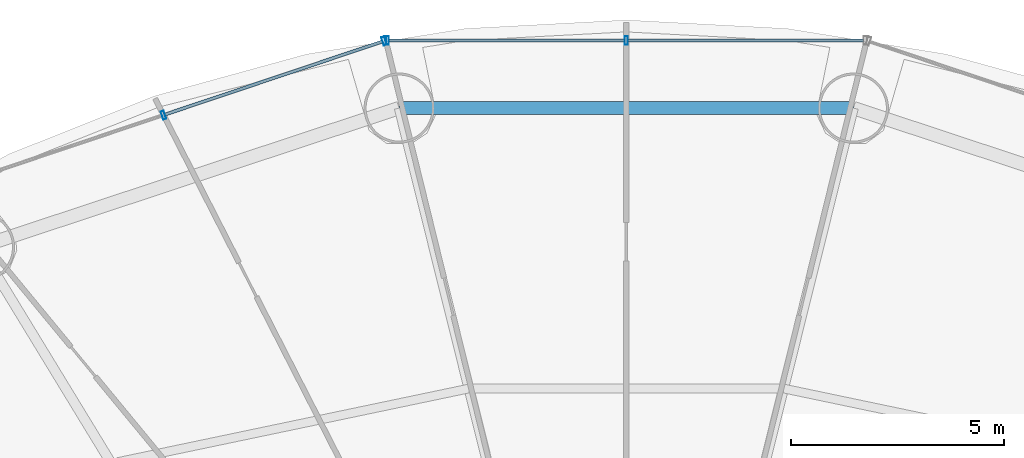
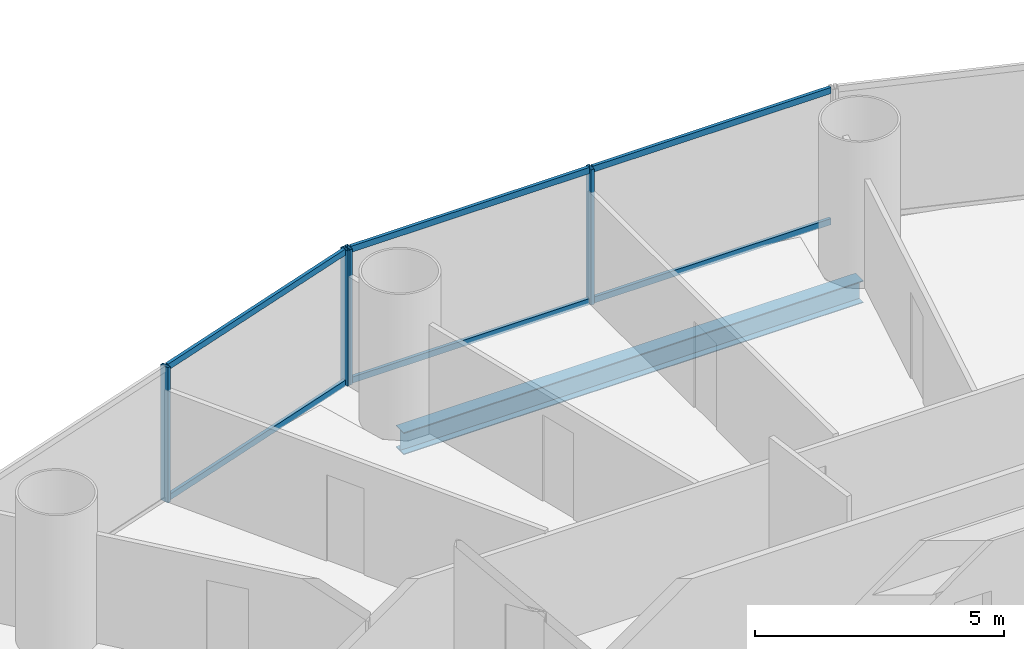
# One storey, part 18 of 30: 10 members, 1 beam, 2 elements without a shape of their own.
"""IFC4 building model written with IfcOpenShell, lengths in metres."""

import ifcopenshell
import ifcopenshell.guid

model = None  # the IFC model being written
_history = None  # IfcOwnerHistory: only IFC2X3 demands one
_inside = {}  # id of a spatial element -> (the spatial element, [elements in it])
_under = {}  # id of a project, library or spatial element -> (it, [spatial elements below it])
_declared = {}  # id of a project -> (the project, [libraries it declares])
_typed = {}  # id of a type object -> (the type object, [elements of that type])
_made_of = {}  # id of a material, layer set ... -> (it, [elements and type objects made of it])


def new_model(schema):
    """Start an empty IFC model of exactly this schema.

    Asked for "IFC4X3", IfcOpenShell would pick the latest addendum, in which some entities
    have other attributes; the version numbers below select the first issue.
    IFC2X3 requires an IfcOwnerHistory on every rooted entity: one is made here for all.
    """
    global model, _history
    if schema == "IFC4X3":
        model = ifcopenshell.file(schema_version=(4, 3, 0, 0))
    else:
        model = ifcopenshell.file(schema=schema)
    _inside.clear()
    _under.clear()
    _declared.clear()
    _typed.clear()
    _made_of.clear()
    _history = None
    if model.schema == "IFC2X3":
        org = make("IfcOrganization", Name="unknown")
        user = make(
            "IfcPersonAndOrganization",
            ThePerson=make("IfcPerson", FamilyName="unknown"),
            TheOrganization=org,
        )
        app = make(
            "IfcApplication",
            ApplicationDeveloper=org,
            Version="unknown",
            ApplicationFullName="unknown",
            ApplicationIdentifier="unknown",
        )
        _history = make(
            "IfcOwnerHistory",
            OwningUser=user,
            OwningApplication=app,
            ChangeAction="ADDED",
            CreationDate=0,
        )
    return model


def make(cls, **values):
    """One entity of the class cls with the attributes given. An attribute that is None is left unset."""
    return model.create_entity(
        cls, **{name: value for name, value in values.items() if value is not None}
    )


def rooted(cls, **values):
    """An entity with a GlobalId (a new one), such as an element, a storey or a relation."""
    return make(cls, GlobalId=ifcopenshell.guid.new(), OwnerHistory=_history, **values)


def si_unit(unit_type, name, prefix=None):
    """IfcSIUnit, for example si_unit("LENGTHUNIT", "METRE", prefix="MILLI")."""
    return make("IfcSIUnit", UnitType=unit_type, Prefix=prefix, Name=name)


def assignment(units):
    """IfcUnitAssignment: the units of a project."""
    return None if units is None else make("IfcUnitAssignment", Units=units)


def point(xyz):
    """IfcCartesianPoint."""
    return None if xyz is None else make("IfcCartesianPoint", Coordinates=xyz)


def direction(xyz):
    """IfcDirection."""
    return None if xyz is None else make("IfcDirection", DirectionRatios=xyz)


def frame(location, z_axis=None, x_axis=None):
    """IfcAxis2Placement3D, a coordinate frame: its origin and axes. An axis left out is left unset."""
    return make(
        "IfcAxis2Placement3D",
        Location=point(location),
        Axis=direction(z_axis),
        RefDirection=direction(x_axis),
    )


def frame_2d(location, x_axis=None):
    """IfcAxis2Placement2D, a coordinate frame in the plane: its origin and x axis."""
    return make(
        "IfcAxis2Placement2D", Location=point(location), RefDirection=direction(x_axis)
    )


def origin():
    """The frame at (0, 0, 0) with its axes left unset."""
    return frame((0.0, 0.0, 0.0))


def origin_2d():
    """The frame at (0, 0) in the plane with its x axis left unset."""
    return frame_2d((0.0, 0.0))


def place(relative_to, where):
    """IfcLocalPlacement: puts the frame where relative to a parent placement (None: the world)."""
    return make(
        "IfcLocalPlacement", PlacementRelTo=relative_to, RelativePlacement=where
    )


def context(
    kind, dimensions, precision=None, world=None, true_north=None, identifier=None
):
    """IfcGeometricRepresentationContext, for example the 3D "Model" context."""
    return make(
        "IfcGeometricRepresentationContext",
        ContextIdentifier=identifier,
        ContextType=kind,
        CoordinateSpaceDimension=dimensions,
        Precision=precision,
        WorldCoordinateSystem=world,
        TrueNorth=true_north,
    )


def subcontext(parent, identifier, kind, view, scale=None):
    """IfcGeometricRepresentationSubContext, for example "Body" below "Model"."""
    return make(
        "IfcGeometricRepresentationSubContext",
        ContextIdentifier=identifier,
        ContextType=kind,
        ParentContext=parent,
        TargetScale=scale,
        TargetView=view,
    )


def project(units=None, contexts=None):
    """IfcProject with its units and contexts."""
    return rooted(
        "IfcProject",
        Name="project",
        RepresentationContexts=contexts,
        UnitsInContext=assignment(units),
    )


def spatial(cls, under=None, at=None, **own):
    """A site, building, storey or space (cls), placed at a placement, below another one or the project."""
    s = rooted(cls, ObjectPlacement=at, **own)
    if under is not None:
        _under.setdefault(under.id(), (under, []))[1].append(s)
    return s


def profile(cls, at=None, kind="AREA", **sizes):
    """A parametric profile (cls). Its sizes go by their IFC names, for example OverallWidth=200.0."""
    return make(cls, ProfileType=kind, Position=at, **sizes)


def hollow_rectangle(**sizes):
    """IfcRectangleHollowProfileDef."""
    return profile("IfcRectangleHollowProfileDef", **sizes)


def i_section(**sizes):
    """IfcIShapeProfileDef."""
    return profile("IfcIShapeProfileDef", **sizes)


def extrude(swept, where, along, depth):
    """IfcExtrudedAreaSolid: the profile swept, set in the frame where, extruded along a direction by depth."""
    return make(
        "IfcExtrudedAreaSolid",
        SweptArea=swept,
        Position=where,
        ExtrudedDirection=direction(along),
        Depth=depth,
    )


def shape(context_of_items, identifier, shape_type, items):
    """IfcShapeRepresentation: the items that make up one representation, for example the "Body"."""
    return make(
        "IfcShapeRepresentation",
        ContextOfItems=context_of_items,
        RepresentationIdentifier=identifier,
        RepresentationType=shape_type,
        Items=items,
    )


def source(mapping_origin, context_of_items, identifier, shape_type, items):
    """IfcRepresentationMap: a shape defined once, which mapped items show again and again."""
    return make(
        "IfcRepresentationMap",
        MappingOrigin=mapping_origin,
        MappedRepresentation=shape(context_of_items, identifier, shape_type, items),
    )


def transform(
    local_origin,
    x_axis=None,
    y_axis=None,
    z_axis=None,
    scale=None,
    scale2=None,
    scale3=None,
    uniform=True,
):
    """IfcCartesianTransformationOperator3D, or its non-uniform kind. x_axis, y_axis, z_axis: its Axis1, 2, 3."""
    if uniform:
        return make(
            "IfcCartesianTransformationOperator3D",
            Axis1=direction(x_axis),
            Axis2=direction(y_axis),
            LocalOrigin=point(local_origin),
            Scale=scale,
            Axis3=direction(z_axis),
        )
    return make(
        "IfcCartesianTransformationOperator3DnonUniform",
        Axis1=direction(x_axis),
        Axis2=direction(y_axis),
        LocalOrigin=point(local_origin),
        Scale=scale,
        Axis3=direction(z_axis),
        Scale2=scale2,
        Scale3=scale3,
    )


def mapped(mapping_source, mapping_target):
    """IfcMappedItem: shows the shape of a source again, moved by a transform."""
    return make(
        "IfcMappedItem", MappingSource=mapping_source, MappingTarget=mapping_target
    )


def material(Name=None, Category=None):
    """IfcMaterial."""
    return make("IfcMaterial", Name=Name, Category=Category)


def material_profile(
    of_material, cross_section, Name=None, Category=None, Priority=None
):
    """IfcMaterialProfile: a cross section and its material."""
    return make(
        "IfcMaterialProfile",
        Name=Name,
        Material=of_material,
        Profile=cross_section,
        Priority=Priority,
        Category=Category,
    )


def profile_set(profiles, Name=None, composite=None):
    """IfcMaterialProfileSet."""
    return make(
        "IfcMaterialProfileSet",
        Name=Name,
        MaterialProfiles=profiles,
        CompositeProfile=composite,
    )


def made_of(thing, what):
    """Note that an element or type object is made of a material, layer set ...; save() writes the relation."""
    if what is not None:
        _made_of.setdefault(what.id(), (what, []))[1].append(thing)
    return thing


def type_object(cls, material=None, **own):
    """A type object (cls), such as IfcWallType, which elements share."""
    return made_of(rooted(cls, **own), material)


def element(
    cls,
    number,
    at=None,
    inside=None,
    cuts=None,
    type_object=None,
    material=None,
    context=None,
    identifier="Body",
    shape_type=None,
    held_by="IfcProductDefinitionShape",
    body=None,
    shapes=None,
    **own,
):
    """One element of the class cls, such as IfcWall. Its Tag is "e" and its number.

    at: its placement. inside: the storey or other place that contains it. cuts: it is an
    opening in that element (IfcRelVoidsElement). A single representation is given by context,
    identifier, shape_type and body (its items); several are given by shapes. held_by: the class
    of the entity that holds the representations. save() writes the other relations.
    """
    e = rooted(cls, Tag="e%d" % number, ObjectPlacement=at, **own)
    if body is not None:
        shapes = [shape(context, identifier, shape_type, body)]
    if shapes is not None:
        e.Representation = make(held_by, Representations=shapes)
    if inside is not None:
        _inside.setdefault(inside.id(), (inside, []))[1].append(e)
    if cuts is not None:
        rooted(
            "IfcRelVoidsElement", RelatingBuildingElement=cuts, RelatedOpeningElement=e
        )
    if type_object is not None:
        _typed.setdefault(type_object.id(), (type_object, []))[1].append(e)
    return made_of(e, material)


def aggregate(whole, parts):
    """IfcRelAggregates: a whole, such as a stair, and the parts it consists of."""
    return rooted("IfcRelAggregates", RelatingObject=whole, RelatedObjects=parts)


def save(model, path):
    """Write the relations noted so far, then the file.

    IfcRelAggregates (storeys below a building ...), IfcRelContainedInSpatialStructure (elements
    in a storey), IfcRelDefinesByType, IfcRelAssociatesMaterial and IfcRelDeclares: one each for
    every whole, place, type object, material and project.
    """
    for whole, parts in _under.values():
        aggregate(whole, parts)
    for where, things in _inside.values():
        rooted(
            "IfcRelContainedInSpatialStructure",
            RelatedElements=things,
            RelatingStructure=where,
        )
    for kind, things in _typed.values():
        rooted("IfcRelDefinesByType", RelatedObjects=things, RelatingType=kind)
    for what, things in _made_of.values():
        rooted("IfcRelAssociatesMaterial", RelatedObjects=things, RelatingMaterial=what)
    for by, libraries in _declared.values():
        rooted("IfcRelDeclares", RelatingContext=by, RelatedDefinitions=libraries)
    model.write(path)


model = new_model("IFC4")

# Units and contexts
model_context = context("Model", 3, precision=1e-05, world=origin(), true_north=direction((-0.2419218956, 0.970295726276)))
body_context = subcontext(model_context, "Body", "Model", "MODEL_VIEW")
ifc_project = project(units=[si_unit("LENGTHUNIT", "METRE"), si_unit("AREAUNIT", "SQUARE_METRE"), si_unit("VOLUMEUNIT", "CUBIC_METRE"), si_unit("PLANEANGLEUNIT", "RADIAN"), si_unit("MASSUNIT", "GRAM", prefix="KILO")], contexts=[model_context])

# Site, building, storey
site_placement = place(None, origin())
site = spatial("IfcSite", under=ifc_project, at=site_placement, CompositionType="ELEMENT")
building_placement = place(site_placement, origin())
building = spatial("IfcBuilding", under=site, at=building_placement, Name="Cobrevalo Terracotta Tower", CompositionType="ELEMENT")
storey_placement = place(building_placement, frame((0.0, 0.0, 60.0)))
storey = spatial("IfcBuildingStorey", under=building, at=storey_placement, Name="L15", CompositionType="ELEMENT", Elevation=60.0)

# Beam
ifc_material_1 = material(Name="Steel S355", Category="steel")
ifc_material_profile_1 = material_profile(ifc_material_1, i_section(OverallWidth=0.31201171875, OverallDepth=0.54296875, WebThickness=0.0126953125, FlangeThickness=0.020263671875, at=origin_2d()), Name="W 530x150")
ifc_profile_set_1 = profile_set([ifc_material_profile_1], Name="Steel S355")
beam_type = type_object("IfcBeamType", Name="Structural Spandrel W 530x150 (Steel S355)", PredefinedType="SPANDREL", material=ifc_profile_set_1)
beam_placement = place(storey_placement, frame((43.335693359375, 48.230224609375, -0.551513671875), z_axis=(-1.0, 0.0, 0.0), x_axis=(0.0, -1.0, 0.0)))
element("IfcBeam", 1, at=beam_placement, inside=storey, type_object=beam_type, Name="L15 perimeter ring spandrel 04", PredefinedType="SPANDREL", context=body_context, shape_type="SweptSolid", body=[
    extrude(i_section(OverallWidth=0.31201171875, OverallDepth=0.54296875, WebThickness=0.0126953125, FlangeThickness=0.020263671875, at=origin_2d()), origin(), (0.0, 0.0, 1.0), 10.67138671875),
])

# Curtain wall, members
ifc_material_2 = material(Name="Anodized aluminium", Category="aluminium")
curtain_wall_type = type_object("IfcCurtainWallType", Name="Lower-tower unitised acoustic low-E curtain wall CW-U1", PredefinedType="NOTDEFINED", material=ifc_material_2)
curtain_wall_1_placement = place(storey_placement, origin())
curtain_wall_1 = element("IfcCurtainWall", 2, at=curtain_wall_1_placement, inside=storey, type_object=curtain_wall_type, Name="L15 curtain wall CW-L15-S04", PredefinedType="NOTDEFINED")
ifc_material_profile_2 = material_profile(ifc_material_2, hollow_rectangle(XDim=0.074951171875, YDim=0.199951171875, WallThickness=0.0048828125, at=origin_2d()), Name="CWM 75x200")
ifc_profile_set_2 = profile_set([ifc_material_profile_2], Name="Anodized aluminium")
member_type_1 = type_object("IfcMemberType", Name="Lower/mid tower unitised mullion 75x200", PredefinedType="MULLION", material=ifc_profile_set_2)
shared_shape_1 = source(origin(), body_context, "Body", "SweptSolid", [
    extrude(hollow_rectangle(XDim=0.074951171875, YDim=0.199951171875, WallThickness=0.0048828125, at=origin_2d()), origin(), (0.0, 0.0, 1.0), 3.320068359375),
])
member_1_placement = place(storey_placement, frame((38.0, 49.819091796875, 0.0), z_axis=(0.0, 0.0, 1.0), x_axis=(-1.0, 0.0, 0.0)))
member_1 = element("IfcMember", 3, at=member_1_placement, type_object=member_type_1, Name="CW-L15-S04 vertical mullion 02", PredefinedType="MULLION", context=body_context, shape_type="MappedRepresentation", body=[
    mapped(shared_shape_1, transform((0.0, 0.0, 0.0), scale=1.0)),
])
member_2_placement = place(storey_placement, frame((32.38818359375, 49.819091796875, 0.0), z_axis=(0.0, 0.0, 1.0), x_axis=(-1.0, 0.0, 0.0)))
member_2 = element("IfcMember", 4, at=member_2_placement, type_object=member_type_1, Name="CW-L15-S04 vertical mullion 03", PredefinedType="MULLION", context=body_context, shape_type="MappedRepresentation", body=[
    mapped(shared_shape_1, transform((0.0, 0.0, 0.0), scale=1.0)),
])

curtain_wall_2_placement = place(storey_placement, origin())
curtain_wall_2 = element("IfcCurtainWall", 5, at=curtain_wall_2_placement, inside=storey, type_object=curtain_wall_type, Name="L15 curtain wall CW-L15-S05", PredefinedType="NOTDEFINED")
member_3_placement = place(storey_placement, frame((32.310302734375, 49.806396484375, 0.0), z_axis=(0.0, 0.0, 1.0), x_axis=(-0.948046393597, -0.318132103987, 0.0)))
member_3 = element("IfcMember", 6, at=member_3_placement, type_object=member_type_1, Name="CW-L15-S05 vertical mullion 01", PredefinedType="MULLION", context=body_context, shape_type="MappedRepresentation", body=[
    mapped(shared_shape_1, transform((0.0, 0.0, 0.0), scale=1.0)),
])
member_4_placement = place(storey_placement, frame((27.126708984375, 48.06689453125, 0.0), z_axis=(0.0, 0.0, 1.0), x_axis=(-0.948046393597, -0.318132103987, 0.0)))
member_4 = element("IfcMember", 7, at=member_4_placement, type_object=member_type_1, Name="CW-L15-S05 vertical mullion 02", PredefinedType="MULLION", context=body_context, shape_type="MappedRepresentation", body=[
    mapped(shared_shape_1, transform((0.0, 0.0, 0.0), scale=1.0)),
])
ifc_material_profile_3 = material_profile(ifc_material_2, hollow_rectangle(XDim=0.074951171875, YDim=0.14990234375, WallThickness=0.00439453125, at=origin_2d()), Name="CWT 75x150")
ifc_profile_set_3 = profile_set([ifc_material_profile_3], Name="Anodized aluminium")
member_type_2 = type_object("IfcMemberType", Name="Tower unitised aluminium transom 75x150", PredefinedType="USERDEFINED", material=ifc_profile_set_3)
shared_shape_2 = source(origin(), body_context, "Body", "SweptSolid", [
    extrude(hollow_rectangle(XDim=0.074951171875, YDim=0.14990234375, WallThickness=0.00439453125, at=origin_2d()), origin(), (0.0, 0.0, 1.0), 5.387939453125),
])
member_5_placement = place(storey_placement, frame((32.2724609375, 49.793701171875, 0.050048828125), z_axis=(-0.94804244582, -0.318143868278, 0.0), x_axis=(0.318143868278, -0.94804244582, 0.0)))
member_5 = element("IfcMember", 8, at=member_5_placement, type_object=member_type_2, Name="CW-L15-S05 transom B01-T1", ObjectType="TRANSOM", PredefinedType="USERDEFINED", context=body_context, shape_type="MappedRepresentation", body=[
    mapped(shared_shape_2, transform((0.0, 0.0, 0.0), scale=1.0)),
])
member_6_placement = place(storey_placement, frame((32.2724609375, 49.793701171875, 3.27001953125), z_axis=(-0.94804244582, -0.318143868278, 0.0), x_axis=(0.318143868278, -0.94804244582, 0.0)))
member_6 = element("IfcMember", 9, at=member_6_placement, type_object=member_type_2, Name="CW-L15-S05 transom B01-T2", ObjectType="TRANSOM", PredefinedType="USERDEFINED", context=body_context, shape_type="MappedRepresentation", body=[
    mapped(shared_shape_2, transform((0.0, 0.0, 0.0), scale=1.0)),
])
aggregate(curtain_wall_2, [member_3, member_4, member_5, member_6])

# Member
shared_shape_3 = source(origin(), body_context, "Body", "SweptSolid", [
    extrude(hollow_rectangle(XDim=0.074951171875, YDim=0.14990234375, WallThickness=0.00439453125, at=origin_2d()), origin(), (0.0, 0.0, 1.0), 5.53173828125),
])
member_7_placement = place(storey_placement, frame((43.57177734375, 49.819091796875, 0.050048828125), z_axis=(-1.0, 0.0, 0.0), x_axis=(0.0, -1.0, 0.0)))
member_7 = element("IfcMember", 10, at=member_7_placement, type_object=member_type_2, Name="CW-L15-S04 transom B01-T1", ObjectType="TRANSOM", PredefinedType="USERDEFINED", context=body_context, shape_type="MappedRepresentation", body=[
    mapped(shared_shape_3, transform((0.0, 0.0, 0.0), scale=1.0)),
])

member_8_placement = place(storey_placement, frame((43.57177734375, 49.819091796875, 3.27001953125), z_axis=(-1.0, 0.0, 0.0), x_axis=(0.0, -1.0, 0.0)))
member_8 = element("IfcMember", 11, at=member_8_placement, type_object=member_type_2, Name="CW-L15-S04 transom B01-T2", ObjectType="TRANSOM", PredefinedType="USERDEFINED", context=body_context, shape_type="MappedRepresentation", body=[
    mapped(shared_shape_3, transform((0.0, 0.0, 0.0), scale=1.0)),
])

member_9_placement = place(storey_placement, frame((37.9599609375, 49.819091796875, 0.050048828125), z_axis=(-1.0, 0.0, 0.0), x_axis=(0.0, -1.0, 0.0)))
member_9 = element("IfcMember", 12, at=member_9_placement, type_object=member_type_2, Name="CW-L15-S04 transom B02-T1", ObjectType="TRANSOM", PredefinedType="USERDEFINED", context=body_context, shape_type="MappedRepresentation", body=[
    mapped(shared_shape_3, transform((0.0, 0.0, 0.0), scale=1.0)),
])

member_10_placement = place(storey_placement, frame((37.9599609375, 49.819091796875, 3.27001953125), z_axis=(-1.0, 0.0, 0.0), x_axis=(0.0, -1.0, 0.0)))
member_10 = element("IfcMember", 13, at=member_10_placement, type_object=member_type_2, Name="CW-L15-S04 transom B02-T2", ObjectType="TRANSOM", PredefinedType="USERDEFINED", context=body_context, shape_type="MappedRepresentation", body=[
    mapped(shared_shape_3, transform((0.0, 0.0, 0.0), scale=1.0)),
])

aggregate(curtain_wall_1, [member_1, member_2, member_7, member_8, member_9, member_10])

save(model, "model.ifc")
